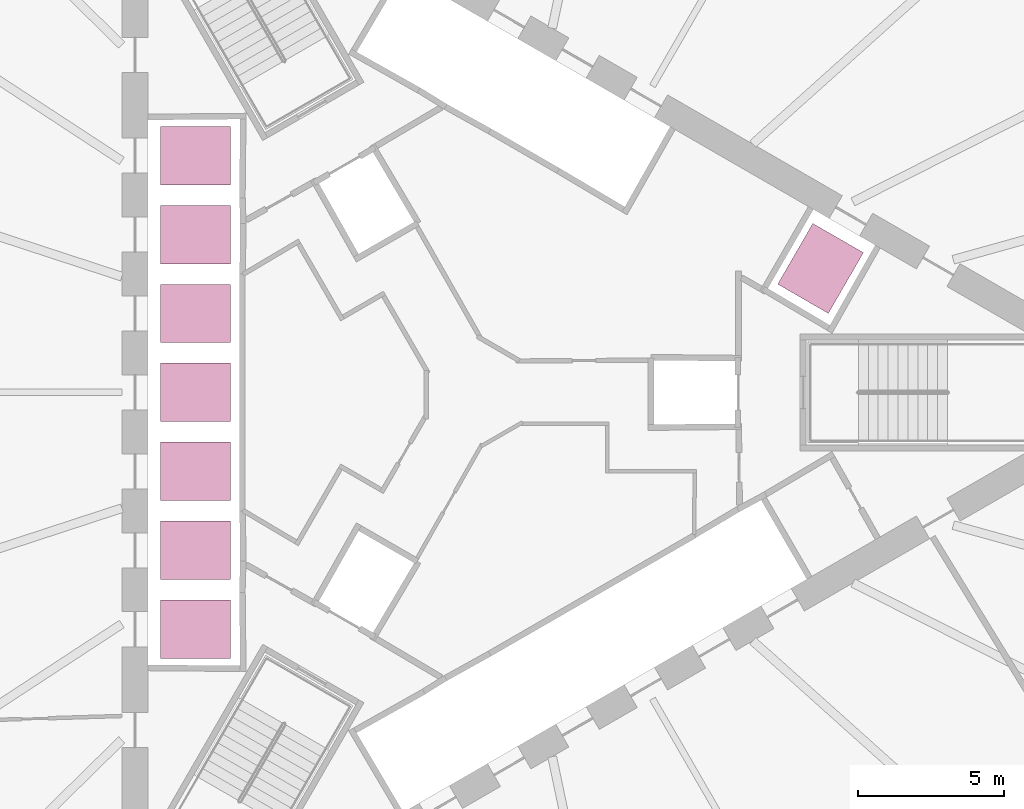
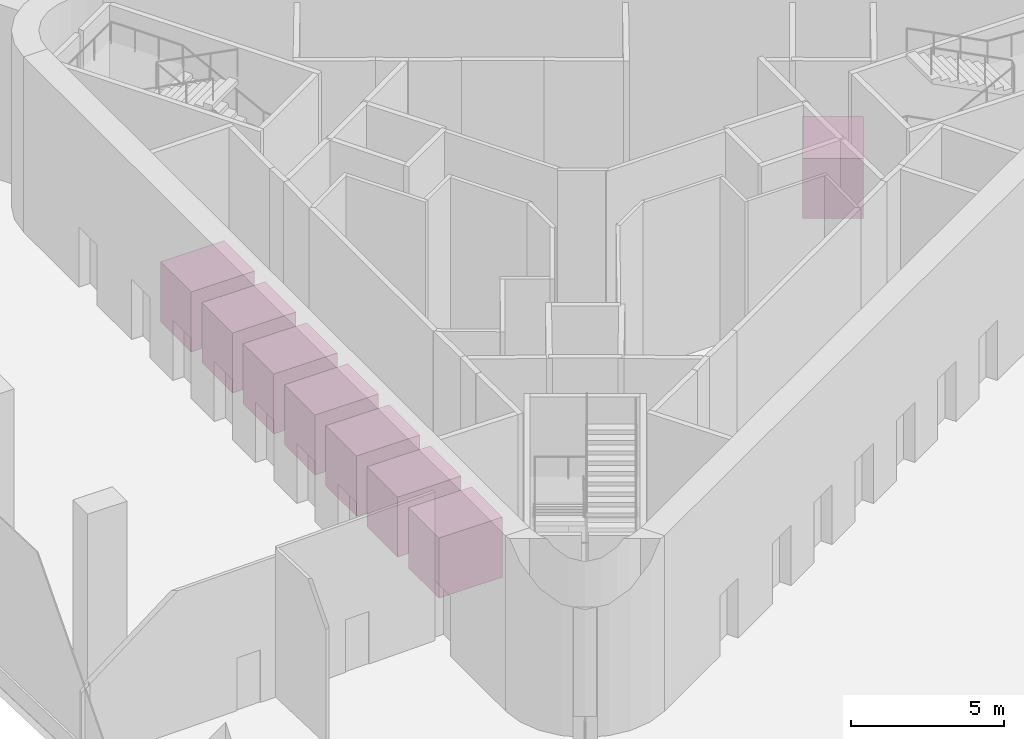
# One storey, part 15 of 15: 8 transport elements.
"""IFC4 building model written with IfcOpenShell, lengths in metres."""

from ifc_helpers import new_model, si_unit, direction, frame, origin, origin_2d, place, context, subcontext, project, spatial, rectangle, extrude, material, type_object, element, save


model = new_model("IFC4")

# Units and contexts
model_context = context("Model", 3, precision=1e-05, world=origin(), true_north=direction((0.0, 1.0)))
body_context = subcontext(model_context, "Body", "Model", "MODEL_VIEW")
ifc_project = project(units=[si_unit("LENGTHUNIT", "METRE"), si_unit("AREAUNIT", "SQUARE_METRE"), si_unit("VOLUMEUNIT", "CUBIC_METRE"), si_unit("PLANEANGLEUNIT", "RADIAN"), si_unit("MASSUNIT", "GRAM", prefix="KILO")], contexts=[model_context])

# Site, building, storey
site_placement = place(None, origin())
site = spatial("IfcSite", under=ifc_project, at=site_placement, CompositionType="ELEMENT")
building_placement = place(site_placement, origin())
building = spatial("IfcBuilding", under=site, at=building_placement, Name="Tanit Gate Tower", CompositionType="ELEMENT")
storey_placement = place(building_placement, frame((0.0, 0.0, 156.199951171875)))
storey = spatial("IfcBuildingStorey", under=building, at=storey_placement, Name="L34", CompositionType="ELEMENT", Elevation=156.199951171875)

# Transport elements
ifc_material = material(Name="Stainless steel lift car", Category="steel")
transport_element_type = type_object("IfcTransportElementType", Name="INT-LIFT-2000X2400-1600", PredefinedType="ELEVATOR", material=ifc_material)
for number, where, z_axis, x_axis, name in (
    (1, (-9.574951171875, 8.10009765625, 0.0), (0.0, 0.0, 1.0), (0.0, -1.0, 0.0), "Lift ML1"),
    (2, (-9.574951171875, 5.39990234375, 0.0), (0.0, 0.0, 1.0), (0.0, -1.0, 0.0), "Lift ML2"),
    (3, (-9.574951171875, 2.699951171875, 0.0), (0.0, 0.0, 1.0), (0.0, -1.0, 0.0), "Lift ML3"),
    (4, (-9.574951171875, 0.0, 0.0), (0.0, 0.0, 1.0), (0.0, -1.0, 0.0), "Lift ML4"),
    (5, (-9.574951171875, -2.699951171875, 0.0), (0.0, 0.0, 1.0), (0.0, -1.0, 0.0), "Lift ML5"),
    (6, (-9.574951171875, -5.39990234375, 0.0), (0.0, 0.0, 1.0), (0.0, -1.0, 0.0), "Lift ML6"),
    (7, (-9.574951171875, -8.10009765625, 0.0), (0.0, 0.0, 1.0), (0.0, -1.0, 0.0), "Lift ML7"),
    (8, (11.80224609375, 4.2421875, 0.0), (0.0, 0.0, 1.0), (-0.866025403784, 0.5, 0.0), "Lift ML8"),
):
    element("IfcTransportElement", number, at=place(storey_placement, frame(where, z_axis=z_axis, x_axis=x_axis)), inside=storey, type_object=transport_element_type, Name=name, PredefinedType="ELEVATOR", context=body_context, shape_type="SweptSolid", body=[
        extrude(rectangle(XDim=2.0, YDim=2.39990234375, at=origin_2d()), origin(), (0.0, 0.0, 1.0), 2.39990234375),
    ])

save(model, "model.ifc")
